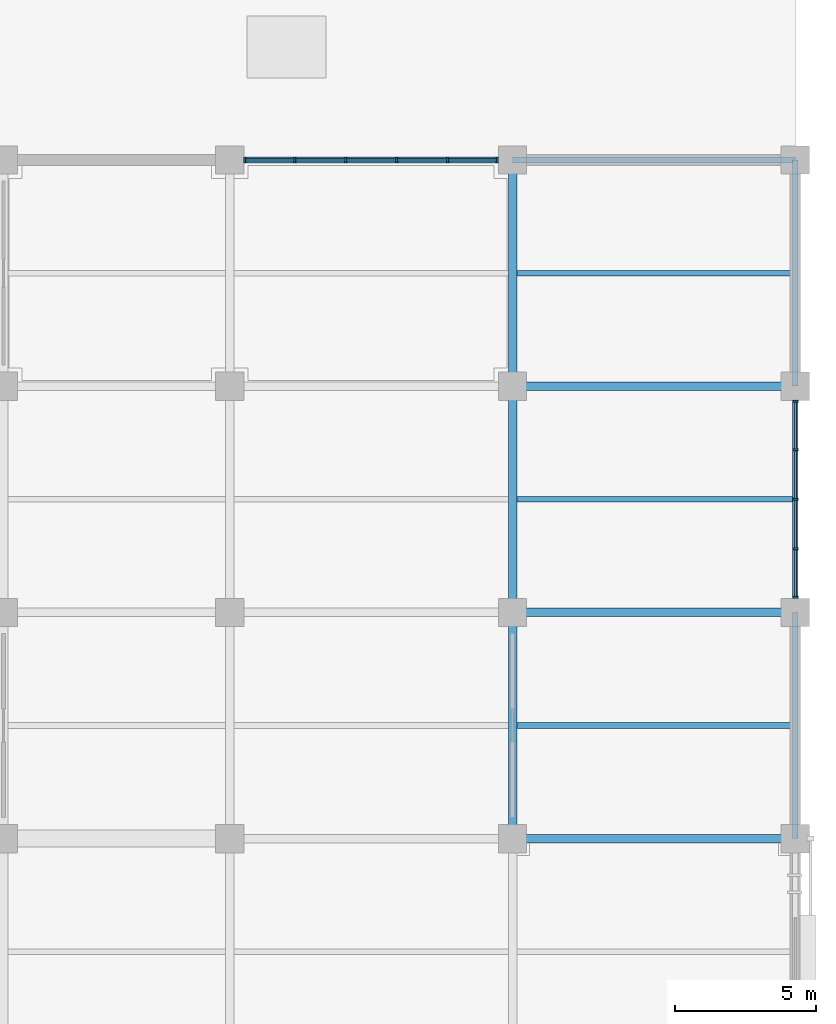
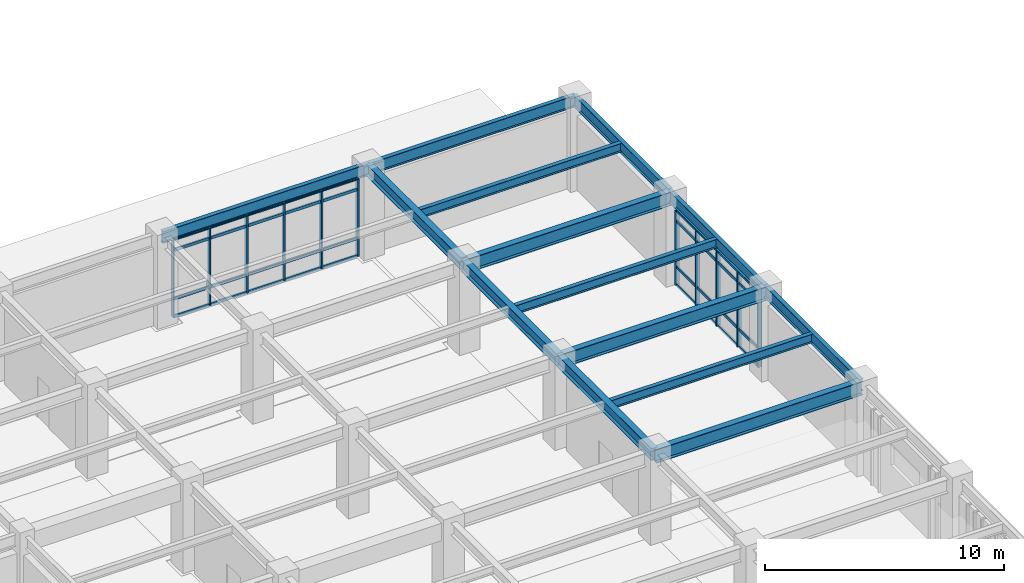
# One storey, part 54 of 117: 47 members, 14 beams, 2 elements without a shape of their own.
"""IFC4 building model written with IfcOpenShell, lengths in metres."""

from ifc_helpers import new_model, si_unit, direction, frame, origin, origin_2d, place, context, subcontext, project, spatial, rectangle, i_section, extrude, material, layer, layer_set, material_profile, profile_set, type_object, element, aggregate, save


model = new_model("IFC4")

# Units and contexts
model_context = context("Model", 3, precision=1e-05, world=origin(), true_north=direction((0.0, 1.0)))
body_context = subcontext(model_context, "Body", "Model", "MODEL_VIEW")
ifc_project = project(units=[si_unit("LENGTHUNIT", "METRE"), si_unit("AREAUNIT", "SQUARE_METRE"), si_unit("VOLUMEUNIT", "CUBIC_METRE"), si_unit("PLANEANGLEUNIT", "RADIAN"), si_unit("MASSUNIT", "GRAM", prefix="KILO")], contexts=[model_context])

# Site, building, storey
site_placement = place(None, origin())
site = spatial("IfcSite", under=ifc_project, at=site_placement, CompositionType="ELEMENT")
building_placement = place(site_placement, origin())
building = spatial("IfcBuilding", under=site, at=building_placement, Name="Haebicheon Civic Stadium", CompositionType="ELEMENT")
storey_placement = place(building_placement, frame((0.0, 0.0, 4.800048828125)))
storey = spatial("IfcBuildingStorey", under=building, at=storey_placement, Name="L02", CompositionType="ELEMENT", Elevation=4.800048828125)

# Beams
ifc_material_1 = material(Name="Steel SM355 (S355)", Category="steel")
ifc_material_profile_1 = material_profile(ifc_material_1, i_section(OverallWidth=0.300048828125, OverallDepth=0.60009765625, WebThickness=0.011962890625, FlangeThickness=0.02001953125, at=origin_2d()), Name="H-600x300x12x20")
ifc_profile_set_1 = profile_set([ifc_material_profile_1], Name="Steel SM355 (S355)")
beam_type_1 = type_object("IfcBeamType", Name="BM-ST-H600A", PredefinedType="BEAM", material=ifc_profile_set_1)
for number, where, z_axis, x_axis, name in (
    (1, (226.0, 128.0, 4.219970703125), (0.0, 1.0, 0.0), (-1.0, 0.0, 0.0), "L02 girder 29/S-T"),
    (2, (226.0, 136.0, 4.219970703125), (0.0, 1.0, 0.0), (-1.0, 0.0, 0.0), "L02 girder 29/T-U"),
    (3, (226.0, 144.0, 4.280029296875), (0.0, 1.0, 0.0), (-1.0, 0.0, 0.0), "L02 girder 29/U-V"),
):
    element("IfcBeam", number, at=place(storey_placement, frame(where, z_axis=z_axis, x_axis=x_axis)), inside=storey, type_object=beam_type_1, material=ifc_profile_set_1, Name=name, PredefinedType="BEAM", context=body_context, shape_type="SweptSolid", body=[
        extrude(i_section(OverallWidth=0.300048828125, OverallDepth=0.60009765625, WebThickness=0.011962890625, FlangeThickness=0.02001953125, at=origin_2d()), origin(), (0.0, 0.0, 1.0), 8.0),
    ])
ifc_material_2 = material(Name="Steel SM490", Category="steel")
ifc_material_profile_2 = material_profile(ifc_material_2, i_section(OverallWidth=0.300048828125, OverallDepth=0.699951171875, WebThickness=0.012939453125, FlangeThickness=0.02392578125, at=origin_2d()), Name="H-700x300x13x24")
ifc_profile_set_2 = profile_set([ifc_material_profile_2], Name="Steel SM490")
beam_type_2 = type_object("IfcBeamType", Name="BM-ST-H700", PredefinedType="BEAM", material=ifc_profile_set_2)
for number, where, z_axis, x_axis, name in (
    (4, (226.0, 128.0, 4.169921875), (1.0, 0.0, 0.0), (0.0, 1.0, 0.0), "L02 beam S/29-30"),
    (5, (226.0, 136.0, 4.169921875), (1.0, 0.0, 0.0), (0.0, 1.0, 0.0), "L02 beam T/29-30"),
    (6, (226.0, 144.0, 4.169921875), (1.0, 0.0, 0.0), (0.0, 1.0, 0.0), "L02 beam U/29-30"),
):
    element("IfcBeam", number, at=place(storey_placement, frame(where, z_axis=z_axis, x_axis=x_axis)), inside=storey, type_object=beam_type_2, material=ifc_profile_set_2, Name=name, PredefinedType="BEAM", context=body_context, shape_type="SweptSolid", body=[
        extrude(i_section(OverallWidth=0.300048828125, OverallDepth=0.699951171875, WebThickness=0.012939453125, FlangeThickness=0.02392578125, at=origin_2d()), origin(), (0.0, 0.0, 1.0), 10.0),
    ])

# Curtain wall, members
ifc_material_3 = material(Name="Anodised aluminium and laminated glass", Category="aluminium")
ifc_layer_1 = layer(ifc_material_3, 0.179931640625, Name="Anodised aluminium and laminated glass")
ifc_layer_set_1 = layer_set([ifc_layer_1], Name="Anodised aluminium and laminated glass")
curtain_wall_type_1 = type_object("IfcCurtainWallType", Name="CW-9000x3950", PredefinedType="NOTDEFINED", material=ifc_layer_set_1)
curtain_wall_1_placement = place(storey_placement, origin())
curtain_wall_1 = element("IfcCurtainWall", 7, at=curtain_wall_1_placement, inside=storey, type_object=curtain_wall_type_1, material=ifc_layer_set_1, Name="L02 unitised curtain wall 063", PredefinedType="NOTDEFINED")
ifc_material_4 = material(Name="Anodised aluminium 6063-T6", Category="aluminium")
ifc_material_profile_3 = material_profile(ifc_material_4, rectangle(XDim=0.070068359375, YDim=0.199951171875, at=origin_2d()), Name="ALU-MULL-70x200")
ifc_profile_set_3 = profile_set([ifc_material_profile_3], Name="Anodised aluminium 6063-T6")
member_type_1 = type_object("IfcMemberType", Name="CWM-200x70", PredefinedType="MULLION", material=ifc_profile_set_3)
member_1_placement = place(storey_placement, frame((216.534912109375, 152.0, 0.0), z_axis=(0.0, 0.0, 1.0), x_axis=(1.0, 0.0, 0.0)))
member_1 = element("IfcMember", 8, at=member_1_placement, type_object=member_type_1, material=ifc_profile_set_3, Name="CW-L02-063 vertical mullion 1", PredefinedType="MULLION", context=body_context, shape_type="SweptSolid", body=[
    extrude(rectangle(XDim=0.070068359375, YDim=0.199951171875, at=origin_2d()), origin(), (0.0, 0.0, 1.0), 3.949951171875),
])
member_2_placement = place(storey_placement, frame((218.300048828125, 152.0, 0.0), z_axis=(0.0, 0.0, 1.0), x_axis=(1.0, 0.0, 0.0)))
member_2 = element("IfcMember", 9, at=member_2_placement, type_object=member_type_1, material=ifc_profile_set_3, Name="CW-L02-063 vertical mullion 2", PredefinedType="MULLION", context=body_context, shape_type="SweptSolid", body=[
    extrude(rectangle(XDim=0.070068359375, YDim=0.199951171875, at=origin_2d()), origin(), (0.0, 0.0, 1.0), 3.949951171875),
])
member_3_placement = place(storey_placement, frame((220.10009765625, 152.0, 0.0), z_axis=(0.0, 0.0, 1.0), x_axis=(1.0, 0.0, 0.0)))
member_3 = element("IfcMember", 10, at=member_3_placement, type_object=member_type_1, material=ifc_profile_set_3, Name="CW-L02-063 vertical mullion 3", PredefinedType="MULLION", context=body_context, shape_type="SweptSolid", body=[
    extrude(rectangle(XDim=0.070068359375, YDim=0.199951171875, at=origin_2d()), origin(), (0.0, 0.0, 1.0), 3.949951171875),
])
member_4_placement = place(storey_placement, frame((221.89990234375, 152.0, 0.0), z_axis=(0.0, 0.0, 1.0), x_axis=(1.0, 0.0, 0.0)))
member_4 = element("IfcMember", 11, at=member_4_placement, type_object=member_type_1, material=ifc_profile_set_3, Name="CW-L02-063 vertical mullion 4", PredefinedType="MULLION", context=body_context, shape_type="SweptSolid", body=[
    extrude(rectangle(XDim=0.070068359375, YDim=0.199951171875, at=origin_2d()), origin(), (0.0, 0.0, 1.0), 3.949951171875),
])
member_5_placement = place(storey_placement, frame((223.699951171875, 152.0, 0.0), z_axis=(0.0, 0.0, 1.0), x_axis=(1.0, 0.0, 0.0)))
member_5 = element("IfcMember", 12, at=member_5_placement, type_object=member_type_1, material=ifc_profile_set_3, Name="CW-L02-063 vertical mullion 5", PredefinedType="MULLION", context=body_context, shape_type="SweptSolid", body=[
    extrude(rectangle(XDim=0.070068359375, YDim=0.199951171875, at=origin_2d()), origin(), (0.0, 0.0, 1.0), 3.949951171875),
])
member_6_placement = place(storey_placement, frame((225.465087890625, 152.0, 0.0), z_axis=(0.0, 0.0, 1.0), x_axis=(1.0, 0.0, 0.0)))
member_6 = element("IfcMember", 13, at=member_6_placement, type_object=member_type_1, material=ifc_profile_set_3, Name="CW-L02-063 vertical mullion 6", PredefinedType="MULLION", context=body_context, shape_type="SweptSolid", body=[
    extrude(rectangle(XDim=0.070068359375, YDim=0.199951171875, at=origin_2d()), origin(), (0.0, 0.0, 1.0), 3.949951171875),
])

ifc_material_5 = material(Name="Anodised aluminium and laminated glass", Category="aluminium")
ifc_layer_2 = layer(ifc_material_5, 0.179931640625, Name="Anodised aluminium and laminated glass")
ifc_layer_set_2 = layer_set([ifc_layer_2], Name="Anodised aluminium and laminated glass")
curtain_wall_type_2 = type_object("IfcCurtainWallType", Name="CW-7000x3810", PredefinedType="NOTDEFINED", material=ifc_layer_set_2)
curtain_wall_2_placement = place(storey_placement, origin())
curtain_wall_2 = element("IfcCurtainWall", 14, at=curtain_wall_2_placement, inside=storey, type_object=curtain_wall_type_2, material=ifc_layer_set_2, Name="L02 unitised curtain wall 068", PredefinedType="NOTDEFINED")
member_7_placement = place(storey_placement, frame((236.0, 136.534912109375, 0.0), z_axis=(0.0, 0.0, 1.0), x_axis=(0.0, 1.0, 0.0)))
member_7 = element("IfcMember", 15, at=member_7_placement, type_object=member_type_1, material=ifc_profile_set_3, Name="CW-L02-068 vertical mullion 1", PredefinedType="MULLION", context=body_context, shape_type="SweptSolid", body=[
    extrude(rectangle(XDim=0.070068359375, YDim=0.199951171875, at=origin_2d()), origin(), (0.0, 0.0, 1.0), 3.81005859375),
])
member_8_placement = place(storey_placement, frame((236.0, 138.25, 0.0), z_axis=(0.0, 0.0, 1.0), x_axis=(0.0, 1.0, 0.0)))
member_8 = element("IfcMember", 16, at=member_8_placement, type_object=member_type_1, material=ifc_profile_set_3, Name="CW-L02-068 vertical mullion 2", PredefinedType="MULLION", context=body_context, shape_type="SweptSolid", body=[
    extrude(rectangle(XDim=0.070068359375, YDim=0.199951171875, at=origin_2d()), origin(), (0.0, 0.0, 1.0), 3.81005859375),
])
member_9_placement = place(storey_placement, frame((236.0, 140.0, 0.0), z_axis=(0.0, 0.0, 1.0), x_axis=(0.0, 1.0, 0.0)))
member_9 = element("IfcMember", 17, at=member_9_placement, type_object=member_type_1, material=ifc_profile_set_3, Name="CW-L02-068 vertical mullion 3", PredefinedType="MULLION", context=body_context, shape_type="SweptSolid", body=[
    extrude(rectangle(XDim=0.070068359375, YDim=0.199951171875, at=origin_2d()), origin(), (0.0, 0.0, 1.0), 3.81005859375),
])
member_10_placement = place(storey_placement, frame((236.0, 141.75, 0.0), z_axis=(0.0, 0.0, 1.0), x_axis=(0.0, 1.0, 0.0)))
member_10 = element("IfcMember", 18, at=member_10_placement, type_object=member_type_1, material=ifc_profile_set_3, Name="CW-L02-068 vertical mullion 4", PredefinedType="MULLION", context=body_context, shape_type="SweptSolid", body=[
    extrude(rectangle(XDim=0.070068359375, YDim=0.199951171875, at=origin_2d()), origin(), (0.0, 0.0, 1.0), 3.81005859375),
])
member_11_placement = place(storey_placement, frame((236.0, 143.465087890625, 0.0), z_axis=(0.0, 0.0, 1.0), x_axis=(0.0, 1.0, 0.0)))
member_11 = element("IfcMember", 19, at=member_11_placement, type_object=member_type_1, material=ifc_profile_set_3, Name="CW-L02-068 vertical mullion 5", PredefinedType="MULLION", context=body_context, shape_type="SweptSolid", body=[
    extrude(rectangle(XDim=0.070068359375, YDim=0.199951171875, at=origin_2d()), origin(), (0.0, 0.0, 1.0), 3.81005859375),
])

# Member
ifc_material_6 = material(Name="Anodised aluminium 6063-T6", Category="aluminium")
ifc_material_profile_4 = material_profile(ifc_material_6, rectangle(XDim=0.070068359375, YDim=0.14990234375, at=origin_2d()), Name="ALU-TRAN-70x150")
ifc_profile_set_4 = profile_set([ifc_material_profile_4], Name="Anodised aluminium 6063-T6")
member_type_2 = type_object("IfcMemberType", Name="CWT-150x70", PredefinedType="NOTDEFINED", material=ifc_profile_set_4)
member_12_placement = place(storey_placement, frame((216.570068359375, 152.0, 0.0), z_axis=(1.0, 0.0, 0.0), x_axis=(0.0, 1.0, 0.0)))
member_12 = element("IfcMember", 20, at=member_12_placement, type_object=member_type_2, material=ifc_profile_set_4, Name="CW-L02-063 horizontal transom 1.1", ObjectType="TRANSOM", PredefinedType="USERDEFINED", context=body_context, shape_type="SweptSolid", body=[
    extrude(rectangle(XDim=0.070068359375, YDim=0.14990234375, at=origin_2d()), origin(), (0.0, 0.0, 1.0), 1.69482421875),
])

member_13_placement = place(storey_placement, frame((216.570068359375, 152.0, 0.89990234375), z_axis=(1.0, 0.0, 0.0), x_axis=(0.0, 1.0, 0.0)))
member_13 = element("IfcMember", 21, at=member_13_placement, type_object=member_type_2, material=ifc_profile_set_4, Name="CW-L02-063 horizontal transom 1.2", ObjectType="TRANSOM", PredefinedType="USERDEFINED", context=body_context, shape_type="SweptSolid", body=[
    extrude(rectangle(XDim=0.070068359375, YDim=0.14990234375, at=origin_2d()), origin(), (0.0, 0.0, 1.0), 1.69482421875),
])

member_14_placement = place(storey_placement, frame((216.570068359375, 152.0, 3.39990234375), z_axis=(1.0, 0.0, 0.0), x_axis=(0.0, 1.0, 0.0)))
member_14 = element("IfcMember", 22, at=member_14_placement, type_object=member_type_2, material=ifc_profile_set_4, Name="CW-L02-063 horizontal transom 1.3", ObjectType="TRANSOM", PredefinedType="USERDEFINED", context=body_context, shape_type="SweptSolid", body=[
    extrude(rectangle(XDim=0.070068359375, YDim=0.14990234375, at=origin_2d()), origin(), (0.0, 0.0, 1.0), 1.69482421875),
])

member_15_placement = place(storey_placement, frame((216.570068359375, 152.0, 3.949951171875), z_axis=(1.0, 0.0, 0.0), x_axis=(0.0, 1.0, 0.0)))
member_15 = element("IfcMember", 23, at=member_15_placement, type_object=member_type_2, material=ifc_profile_set_4, Name="CW-L02-063 horizontal transom 1.4", ObjectType="TRANSOM", PredefinedType="USERDEFINED", context=body_context, shape_type="SweptSolid", body=[
    extrude(rectangle(XDim=0.070068359375, YDim=0.14990234375, at=origin_2d()), origin(), (0.0, 0.0, 1.0), 1.69482421875),
])

member_16_placement = place(storey_placement, frame((218.3349609375, 152.0, 0.0), z_axis=(1.0, 0.0, 0.0), x_axis=(0.0, 1.0, 0.0)))
member_16 = element("IfcMember", 24, at=member_16_placement, type_object=member_type_2, material=ifc_profile_set_4, Name="CW-L02-063 horizontal transom 2.1", ObjectType="TRANSOM", PredefinedType="USERDEFINED", context=body_context, shape_type="SweptSolid", body=[
    extrude(rectangle(XDim=0.070068359375, YDim=0.14990234375, at=origin_2d()), origin(), (0.0, 0.0, 1.0), 1.72998046875),
])

member_17_placement = place(storey_placement, frame((218.3349609375, 152.0, 0.89990234375), z_axis=(1.0, 0.0, 0.0), x_axis=(0.0, 1.0, 0.0)))
member_17 = element("IfcMember", 25, at=member_17_placement, type_object=member_type_2, material=ifc_profile_set_4, Name="CW-L02-063 horizontal transom 2.2", ObjectType="TRANSOM", PredefinedType="USERDEFINED", context=body_context, shape_type="SweptSolid", body=[
    extrude(rectangle(XDim=0.070068359375, YDim=0.14990234375, at=origin_2d()), origin(), (0.0, 0.0, 1.0), 1.72998046875),
])

member_18_placement = place(storey_placement, frame((218.3349609375, 152.0, 3.39990234375), z_axis=(1.0, 0.0, 0.0), x_axis=(0.0, 1.0, 0.0)))
member_18 = element("IfcMember", 26, at=member_18_placement, type_object=member_type_2, material=ifc_profile_set_4, Name="CW-L02-063 horizontal transom 2.3", ObjectType="TRANSOM", PredefinedType="USERDEFINED", context=body_context, shape_type="SweptSolid", body=[
    extrude(rectangle(XDim=0.070068359375, YDim=0.14990234375, at=origin_2d()), origin(), (0.0, 0.0, 1.0), 1.72998046875),
])

member_19_placement = place(storey_placement, frame((218.3349609375, 152.0, 3.949951171875), z_axis=(1.0, 0.0, 0.0), x_axis=(0.0, 1.0, 0.0)))
member_19 = element("IfcMember", 27, at=member_19_placement, type_object=member_type_2, material=ifc_profile_set_4, Name="CW-L02-063 horizontal transom 2.4", ObjectType="TRANSOM", PredefinedType="USERDEFINED", context=body_context, shape_type="SweptSolid", body=[
    extrude(rectangle(XDim=0.070068359375, YDim=0.14990234375, at=origin_2d()), origin(), (0.0, 0.0, 1.0), 1.72998046875),
])

member_20_placement = place(storey_placement, frame((220.135009765625, 152.0, 0.0), z_axis=(1.0, 0.0, 0.0), x_axis=(0.0, 1.0, 0.0)))
member_20 = element("IfcMember", 28, at=member_20_placement, type_object=member_type_2, material=ifc_profile_set_4, Name="CW-L02-063 horizontal transom 3.1", ObjectType="TRANSOM", PredefinedType="USERDEFINED", context=body_context, shape_type="SweptSolid", body=[
    extrude(rectangle(XDim=0.070068359375, YDim=0.14990234375, at=origin_2d()), origin(), (0.0, 0.0, 1.0), 1.72998046875),
])

member_21_placement = place(storey_placement, frame((220.135009765625, 152.0, 0.89990234375), z_axis=(1.0, 0.0, 0.0), x_axis=(0.0, 1.0, 0.0)))
member_21 = element("IfcMember", 29, at=member_21_placement, type_object=member_type_2, material=ifc_profile_set_4, Name="CW-L02-063 horizontal transom 3.2", ObjectType="TRANSOM", PredefinedType="USERDEFINED", context=body_context, shape_type="SweptSolid", body=[
    extrude(rectangle(XDim=0.070068359375, YDim=0.14990234375, at=origin_2d()), origin(), (0.0, 0.0, 1.0), 1.72998046875),
])

member_22_placement = place(storey_placement, frame((220.135009765625, 152.0, 3.39990234375), z_axis=(1.0, 0.0, 0.0), x_axis=(0.0, 1.0, 0.0)))
member_22 = element("IfcMember", 30, at=member_22_placement, type_object=member_type_2, material=ifc_profile_set_4, Name="CW-L02-063 horizontal transom 3.3", ObjectType="TRANSOM", PredefinedType="USERDEFINED", context=body_context, shape_type="SweptSolid", body=[
    extrude(rectangle(XDim=0.070068359375, YDim=0.14990234375, at=origin_2d()), origin(), (0.0, 0.0, 1.0), 1.72998046875),
])

member_23_placement = place(storey_placement, frame((220.135009765625, 152.0, 3.949951171875), z_axis=(1.0, 0.0, 0.0), x_axis=(0.0, 1.0, 0.0)))
member_23 = element("IfcMember", 31, at=member_23_placement, type_object=member_type_2, material=ifc_profile_set_4, Name="CW-L02-063 horizontal transom 3.4", ObjectType="TRANSOM", PredefinedType="USERDEFINED", context=body_context, shape_type="SweptSolid", body=[
    extrude(rectangle(XDim=0.070068359375, YDim=0.14990234375, at=origin_2d()), origin(), (0.0, 0.0, 1.0), 1.72998046875),
])

member_24_placement = place(storey_placement, frame((221.93505859375, 152.0, 0.0), z_axis=(1.0, 0.0, 0.0), x_axis=(0.0, 1.0, 0.0)))
member_24 = element("IfcMember", 32, at=member_24_placement, type_object=member_type_2, material=ifc_profile_set_4, Name="CW-L02-063 horizontal transom 4.1", ObjectType="TRANSOM", PredefinedType="USERDEFINED", context=body_context, shape_type="SweptSolid", body=[
    extrude(rectangle(XDim=0.070068359375, YDim=0.14990234375, at=origin_2d()), origin(), (0.0, 0.0, 1.0), 1.72998046875),
])

member_25_placement = place(storey_placement, frame((221.93505859375, 152.0, 0.89990234375), z_axis=(1.0, 0.0, 0.0), x_axis=(0.0, 1.0, 0.0)))
member_25 = element("IfcMember", 33, at=member_25_placement, type_object=member_type_2, material=ifc_profile_set_4, Name="CW-L02-063 horizontal transom 4.2", ObjectType="TRANSOM", PredefinedType="USERDEFINED", context=body_context, shape_type="SweptSolid", body=[
    extrude(rectangle(XDim=0.070068359375, YDim=0.14990234375, at=origin_2d()), origin(), (0.0, 0.0, 1.0), 1.72998046875),
])

member_26_placement = place(storey_placement, frame((221.93505859375, 152.0, 3.39990234375), z_axis=(1.0, 0.0, 0.0), x_axis=(0.0, 1.0, 0.0)))
member_26 = element("IfcMember", 34, at=member_26_placement, type_object=member_type_2, material=ifc_profile_set_4, Name="CW-L02-063 horizontal transom 4.3", ObjectType="TRANSOM", PredefinedType="USERDEFINED", context=body_context, shape_type="SweptSolid", body=[
    extrude(rectangle(XDim=0.070068359375, YDim=0.14990234375, at=origin_2d()), origin(), (0.0, 0.0, 1.0), 1.72998046875),
])

member_27_placement = place(storey_placement, frame((221.93505859375, 152.0, 3.949951171875), z_axis=(1.0, 0.0, 0.0), x_axis=(0.0, 1.0, 0.0)))
member_27 = element("IfcMember", 35, at=member_27_placement, type_object=member_type_2, material=ifc_profile_set_4, Name="CW-L02-063 horizontal transom 4.4", ObjectType="TRANSOM", PredefinedType="USERDEFINED", context=body_context, shape_type="SweptSolid", body=[
    extrude(rectangle(XDim=0.070068359375, YDim=0.14990234375, at=origin_2d()), origin(), (0.0, 0.0, 1.0), 1.72998046875),
])

member_28_placement = place(storey_placement, frame((223.735107421875, 152.0, 0.0), z_axis=(1.0, 0.0, 0.0), x_axis=(0.0, 1.0, 0.0)))
member_28 = element("IfcMember", 36, at=member_28_placement, type_object=member_type_2, material=ifc_profile_set_4, Name="CW-L02-063 horizontal transom 5.1", ObjectType="TRANSOM", PredefinedType="USERDEFINED", context=body_context, shape_type="SweptSolid", body=[
    extrude(rectangle(XDim=0.070068359375, YDim=0.14990234375, at=origin_2d()), origin(), (0.0, 0.0, 1.0), 1.69482421875),
])

member_29_placement = place(storey_placement, frame((223.735107421875, 152.0, 0.89990234375), z_axis=(1.0, 0.0, 0.0), x_axis=(0.0, 1.0, 0.0)))
member_29 = element("IfcMember", 37, at=member_29_placement, type_object=member_type_2, material=ifc_profile_set_4, Name="CW-L02-063 horizontal transom 5.2", ObjectType="TRANSOM", PredefinedType="USERDEFINED", context=body_context, shape_type="SweptSolid", body=[
    extrude(rectangle(XDim=0.070068359375, YDim=0.14990234375, at=origin_2d()), origin(), (0.0, 0.0, 1.0), 1.69482421875),
])

member_30_placement = place(storey_placement, frame((223.735107421875, 152.0, 3.39990234375), z_axis=(1.0, 0.0, 0.0), x_axis=(0.0, 1.0, 0.0)))
member_30 = element("IfcMember", 38, at=member_30_placement, type_object=member_type_2, material=ifc_profile_set_4, Name="CW-L02-063 horizontal transom 5.3", ObjectType="TRANSOM", PredefinedType="USERDEFINED", context=body_context, shape_type="SweptSolid", body=[
    extrude(rectangle(XDim=0.070068359375, YDim=0.14990234375, at=origin_2d()), origin(), (0.0, 0.0, 1.0), 1.69482421875),
])

member_31_placement = place(storey_placement, frame((223.735107421875, 152.0, 3.949951171875), z_axis=(1.0, 0.0, 0.0), x_axis=(0.0, 1.0, 0.0)))
member_31 = element("IfcMember", 39, at=member_31_placement, type_object=member_type_2, material=ifc_profile_set_4, Name="CW-L02-063 horizontal transom 5.4", ObjectType="TRANSOM", PredefinedType="USERDEFINED", context=body_context, shape_type="SweptSolid", body=[
    extrude(rectangle(XDim=0.070068359375, YDim=0.14990234375, at=origin_2d()), origin(), (0.0, 0.0, 1.0), 1.69482421875),
])

aggregate(curtain_wall_1, [member_1, member_2, member_3, member_4, member_5, member_6, member_12, member_13, member_14, member_15, member_16, member_17, member_18, member_19, member_20, member_21, member_22, member_23, member_24, member_25, member_26, member_27, member_28, member_29, member_30, member_31])

member_32_placement = place(storey_placement, frame((236.0, 136.570068359375, 0.0), z_axis=(0.0, 1.0, 0.0), x_axis=(-1.0, 0.0, 0.0)))
member_32 = element("IfcMember", 40, at=member_32_placement, type_object=member_type_2, material=ifc_profile_set_4, Name="CW-L02-068 horizontal transom 1.1", ObjectType="TRANSOM", PredefinedType="USERDEFINED", context=body_context, shape_type="SweptSolid", body=[
    extrude(rectangle(XDim=0.070068359375, YDim=0.14990234375, at=origin_2d()), origin(), (0.0, 0.0, 1.0), 1.64501953125),
])

member_33_placement = place(storey_placement, frame((236.0, 136.570068359375, 0.89990234375), z_axis=(0.0, 1.0, 0.0), x_axis=(-1.0, 0.0, 0.0)))
member_33 = element("IfcMember", 41, at=member_33_placement, type_object=member_type_2, material=ifc_profile_set_4, Name="CW-L02-068 horizontal transom 1.2", ObjectType="TRANSOM", PredefinedType="USERDEFINED", context=body_context, shape_type="SweptSolid", body=[
    extrude(rectangle(XDim=0.070068359375, YDim=0.14990234375, at=origin_2d()), origin(), (0.0, 0.0, 1.0), 1.64501953125),
])

member_34_placement = place(storey_placement, frame((236.0, 136.570068359375, 3.260009765625), z_axis=(0.0, 1.0, 0.0), x_axis=(-1.0, 0.0, 0.0)))
member_34 = element("IfcMember", 42, at=member_34_placement, type_object=member_type_2, material=ifc_profile_set_4, Name="CW-L02-068 horizontal transom 1.3", ObjectType="TRANSOM", PredefinedType="USERDEFINED", context=body_context, shape_type="SweptSolid", body=[
    extrude(rectangle(XDim=0.070068359375, YDim=0.14990234375, at=origin_2d()), origin(), (0.0, 0.0, 1.0), 1.64501953125),
])

member_35_placement = place(storey_placement, frame((236.0, 136.570068359375, 3.81005859375), z_axis=(0.0, 1.0, 0.0), x_axis=(-1.0, 0.0, 0.0)))
member_35 = element("IfcMember", 43, at=member_35_placement, type_object=member_type_2, material=ifc_profile_set_4, Name="CW-L02-068 horizontal transom 1.4", ObjectType="TRANSOM", PredefinedType="USERDEFINED", context=body_context, shape_type="SweptSolid", body=[
    extrude(rectangle(XDim=0.070068359375, YDim=0.14990234375, at=origin_2d()), origin(), (0.0, 0.0, 1.0), 1.64501953125),
])

member_36_placement = place(storey_placement, frame((236.0, 138.284912109375, 0.0), z_axis=(0.0, 1.0, 0.0), x_axis=(-1.0, 0.0, 0.0)))
member_36 = element("IfcMember", 44, at=member_36_placement, type_object=member_type_2, material=ifc_profile_set_4, Name="CW-L02-068 horizontal transom 2.1", ObjectType="TRANSOM", PredefinedType="USERDEFINED", context=body_context, shape_type="SweptSolid", body=[
    extrude(rectangle(XDim=0.070068359375, YDim=0.14990234375, at=origin_2d()), origin(), (0.0, 0.0, 1.0), 1.68017578125),
])

member_37_placement = place(storey_placement, frame((236.0, 138.284912109375, 0.89990234375), z_axis=(0.0, 1.0, 0.0), x_axis=(-1.0, 0.0, 0.0)))
member_37 = element("IfcMember", 45, at=member_37_placement, type_object=member_type_2, material=ifc_profile_set_4, Name="CW-L02-068 horizontal transom 2.2", ObjectType="TRANSOM", PredefinedType="USERDEFINED", context=body_context, shape_type="SweptSolid", body=[
    extrude(rectangle(XDim=0.070068359375, YDim=0.14990234375, at=origin_2d()), origin(), (0.0, 0.0, 1.0), 1.68017578125),
])

member_38_placement = place(storey_placement, frame((236.0, 138.284912109375, 3.260009765625), z_axis=(0.0, 1.0, 0.0), x_axis=(-1.0, 0.0, 0.0)))
member_38 = element("IfcMember", 46, at=member_38_placement, type_object=member_type_2, material=ifc_profile_set_4, Name="CW-L02-068 horizontal transom 2.3", ObjectType="TRANSOM", PredefinedType="USERDEFINED", context=body_context, shape_type="SweptSolid", body=[
    extrude(rectangle(XDim=0.070068359375, YDim=0.14990234375, at=origin_2d()), origin(), (0.0, 0.0, 1.0), 1.68017578125),
])

member_39_placement = place(storey_placement, frame((236.0, 138.284912109375, 3.81005859375), z_axis=(0.0, 1.0, 0.0), x_axis=(-1.0, 0.0, 0.0)))
member_39 = element("IfcMember", 47, at=member_39_placement, type_object=member_type_2, material=ifc_profile_set_4, Name="CW-L02-068 horizontal transom 2.4", ObjectType="TRANSOM", PredefinedType="USERDEFINED", context=body_context, shape_type="SweptSolid", body=[
    extrude(rectangle(XDim=0.070068359375, YDim=0.14990234375, at=origin_2d()), origin(), (0.0, 0.0, 1.0), 1.68017578125),
])

member_40_placement = place(storey_placement, frame((236.0, 140.034912109375, 0.0), z_axis=(0.0, 1.0, 0.0), x_axis=(-1.0, 0.0, 0.0)))
member_40 = element("IfcMember", 48, at=member_40_placement, type_object=member_type_2, material=ifc_profile_set_4, Name="CW-L02-068 horizontal transom 3.1", ObjectType="TRANSOM", PredefinedType="USERDEFINED", context=body_context, shape_type="SweptSolid", body=[
    extrude(rectangle(XDim=0.070068359375, YDim=0.14990234375, at=origin_2d()), origin(), (0.0, 0.0, 1.0), 1.68017578125),
])

member_41_placement = place(storey_placement, frame((236.0, 140.034912109375, 0.89990234375), z_axis=(0.0, 1.0, 0.0), x_axis=(-1.0, 0.0, 0.0)))
member_41 = element("IfcMember", 49, at=member_41_placement, type_object=member_type_2, material=ifc_profile_set_4, Name="CW-L02-068 horizontal transom 3.2", ObjectType="TRANSOM", PredefinedType="USERDEFINED", context=body_context, shape_type="SweptSolid", body=[
    extrude(rectangle(XDim=0.070068359375, YDim=0.14990234375, at=origin_2d()), origin(), (0.0, 0.0, 1.0), 1.68017578125),
])

member_42_placement = place(storey_placement, frame((236.0, 140.034912109375, 3.260009765625), z_axis=(0.0, 1.0, 0.0), x_axis=(-1.0, 0.0, 0.0)))
member_42 = element("IfcMember", 50, at=member_42_placement, type_object=member_type_2, material=ifc_profile_set_4, Name="CW-L02-068 horizontal transom 3.3", ObjectType="TRANSOM", PredefinedType="USERDEFINED", context=body_context, shape_type="SweptSolid", body=[
    extrude(rectangle(XDim=0.070068359375, YDim=0.14990234375, at=origin_2d()), origin(), (0.0, 0.0, 1.0), 1.68017578125),
])

member_43_placement = place(storey_placement, frame((236.0, 140.034912109375, 3.81005859375), z_axis=(0.0, 1.0, 0.0), x_axis=(-1.0, 0.0, 0.0)))
member_43 = element("IfcMember", 51, at=member_43_placement, type_object=member_type_2, material=ifc_profile_set_4, Name="CW-L02-068 horizontal transom 3.4", ObjectType="TRANSOM", PredefinedType="USERDEFINED", context=body_context, shape_type="SweptSolid", body=[
    extrude(rectangle(XDim=0.070068359375, YDim=0.14990234375, at=origin_2d()), origin(), (0.0, 0.0, 1.0), 1.68017578125),
])

member_44_placement = place(storey_placement, frame((236.0, 141.784912109375, 0.0), z_axis=(0.0, 1.0, 0.0), x_axis=(-1.0, 0.0, 0.0)))
member_44 = element("IfcMember", 52, at=member_44_placement, type_object=member_type_2, material=ifc_profile_set_4, Name="CW-L02-068 horizontal transom 4.1", ObjectType="TRANSOM", PredefinedType="USERDEFINED", context=body_context, shape_type="SweptSolid", body=[
    extrude(rectangle(XDim=0.070068359375, YDim=0.14990234375, at=origin_2d()), origin(), (0.0, 0.0, 1.0), 1.64501953125),
])

member_45_placement = place(storey_placement, frame((236.0, 141.784912109375, 0.89990234375), z_axis=(0.0, 1.0, 0.0), x_axis=(-1.0, 0.0, 0.0)))
member_45 = element("IfcMember", 53, at=member_45_placement, type_object=member_type_2, material=ifc_profile_set_4, Name="CW-L02-068 horizontal transom 4.2", ObjectType="TRANSOM", PredefinedType="USERDEFINED", context=body_context, shape_type="SweptSolid", body=[
    extrude(rectangle(XDim=0.070068359375, YDim=0.14990234375, at=origin_2d()), origin(), (0.0, 0.0, 1.0), 1.64501953125),
])

member_46_placement = place(storey_placement, frame((236.0, 141.784912109375, 3.260009765625), z_axis=(0.0, 1.0, 0.0), x_axis=(-1.0, 0.0, 0.0)))
member_46 = element("IfcMember", 54, at=member_46_placement, type_object=member_type_2, material=ifc_profile_set_4, Name="CW-L02-068 horizontal transom 4.3", ObjectType="TRANSOM", PredefinedType="USERDEFINED", context=body_context, shape_type="SweptSolid", body=[
    extrude(rectangle(XDim=0.070068359375, YDim=0.14990234375, at=origin_2d()), origin(), (0.0, 0.0, 1.0), 1.64501953125),
])

member_47_placement = place(storey_placement, frame((236.0, 141.784912109375, 3.81005859375), z_axis=(0.0, 1.0, 0.0), x_axis=(-1.0, 0.0, 0.0)))
member_47 = element("IfcMember", 55, at=member_47_placement, type_object=member_type_2, material=ifc_profile_set_4, Name="CW-L02-068 horizontal transom 4.4", ObjectType="TRANSOM", PredefinedType="USERDEFINED", context=body_context, shape_type="SweptSolid", body=[
    extrude(rectangle(XDim=0.070068359375, YDim=0.14990234375, at=origin_2d()), origin(), (0.0, 0.0, 1.0), 1.64501953125),
])

aggregate(curtain_wall_2, [member_7, member_8, member_9, member_10, member_11, member_32, member_33, member_34, member_35, member_36, member_37, member_38, member_39, member_40, member_41, member_42, member_43, member_44, member_45, member_46, member_47])

# Beams
ifc_material_7 = material(Name="Steel SM355 (S355)", Category="steel")
ifc_material_profile_5 = material_profile(ifc_material_7, i_section(OverallWidth=0.199951171875, OverallDepth=0.449951171875, WebThickness=0.009033203125, FlangeThickness=0.013916015625, at=origin_2d()), Name="H-450x200x9x14")
ifc_profile_set_5 = profile_set([ifc_material_profile_5], Name="Steel SM355 (S355)")
beam_type_3 = type_object("IfcBeamType", Name="JST-ST-H450", PredefinedType="JOIST", material=ifc_profile_set_5)
for number, where, z_axis, x_axis, name in (
    (56, (226.14990234375, 132.0, 4.294921875), (1.0, 0.0, 0.0), (0.0, 1.0, 0.0), "L02 secondary joist 28-16"),
    (57, (226.14990234375, 140.0, 4.294921875), (1.0, 0.0, 0.0), (0.0, 1.0, 0.0), "L02 secondary joist 28-17"),
    (58, (226.14990234375, 148.0, 4.35498046875), (1.0, 0.0, 0.0), (0.0, 1.0, 0.0), "L02 secondary joist 28-18"),
):
    element("IfcBeam", number, at=place(storey_placement, frame(where, z_axis=z_axis, x_axis=x_axis)), inside=storey, type_object=beam_type_3, material=ifc_profile_set_5, Name=name, PredefinedType="JOIST", context=body_context, shape_type="SweptSolid", body=[
        extrude(i_section(OverallWidth=0.199951171875, OverallDepth=0.449951171875, WebThickness=0.009033203125, FlangeThickness=0.013916015625, at=origin_2d()), origin(), (0.0, 0.0, 1.0), 9.75),
    ])
ifc_material_8 = material(Name="Steel SM355 (S355)", Category="steel")
ifc_material_profile_6 = material_profile(ifc_material_8, i_section(OverallWidth=0.199951171875, OverallDepth=0.60009765625, WebThickness=0.010986328125, FlangeThickness=0.01708984375, at=origin_2d()), Name="H-600x200x11x17")
ifc_profile_set_6 = profile_set([ifc_material_profile_6], Name="Steel SM355 (S355)")
beam_type_4 = type_object("IfcBeamType", Name="SPD-ST-H600B", PredefinedType="SPANDREL", material=ifc_profile_set_6)
for number, where, z_axis, x_axis, name in (
    (59, (236.0, 128.0, 4.219970703125), (0.0, 1.0, 0.0), (-1.0, 0.0, 0.0), "L02 girder 30/S-T"),
    (60, (236.0, 136.0, 4.219970703125), (0.0, 1.0, 0.0), (-1.0, 0.0, 0.0), "L02 girder 30/T-U"),
    (61, (236.0, 144.0, 4.280029296875), (0.0, 1.0, 0.0), (-1.0, 0.0, 0.0), "L02 girder 30/U-V"),
):
    element("IfcBeam", number, at=place(storey_placement, frame(where, z_axis=z_axis, x_axis=x_axis)), inside=storey, type_object=beam_type_4, material=ifc_profile_set_6, Name=name, PredefinedType="SPANDREL", context=body_context, shape_type="SweptSolid", body=[
        extrude(i_section(OverallWidth=0.199951171875, OverallDepth=0.60009765625, WebThickness=0.010986328125, FlangeThickness=0.01708984375, at=origin_2d()), origin(), (0.0, 0.0, 1.0), 8.0),
    ])
for number, where, z_axis, x_axis, name in (
    (62, (216.0, 152.0, 4.280029296875), (1.0, 0.0, 0.0), (0.0, 1.0, 0.0), "L02 beam V/28-29"),
    (63, (226.0, 152.0, 4.280029296875), (1.0, 0.0, 0.0), (0.0, 1.0, 0.0), "L02 beam V/29-30"),
):
    element("IfcBeam", number, at=place(storey_placement, frame(where, z_axis=z_axis, x_axis=x_axis)), inside=storey, type_object=beam_type_4, material=ifc_profile_set_6, Name=name, PredefinedType="SPANDREL", context=body_context, shape_type="SweptSolid", body=[
        extrude(i_section(OverallWidth=0.199951171875, OverallDepth=0.60009765625, WebThickness=0.010986328125, FlangeThickness=0.01708984375, at=origin_2d()), origin(), (0.0, 0.0, 1.0), 10.0),
    ])

save(model, "model.ifc")
